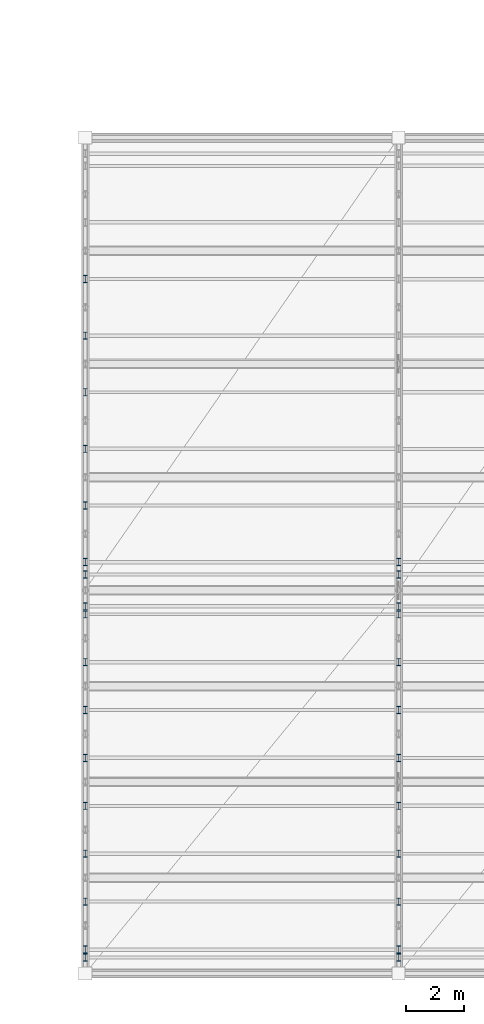
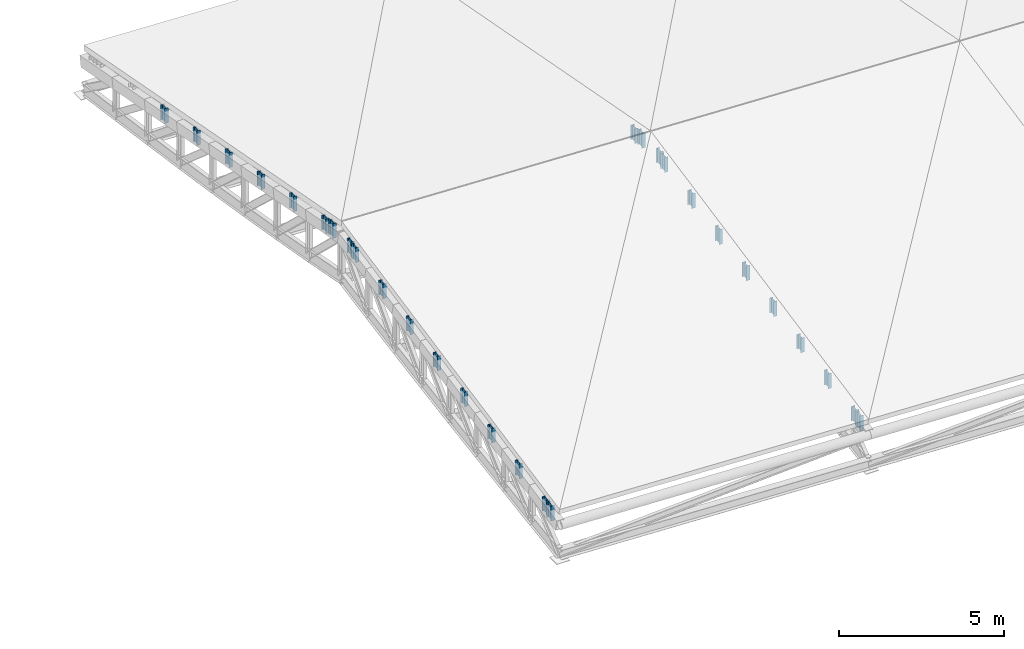
# One storey, part 46 of 89: 29 members.
"""IFC4 building model written with IfcOpenShell, lengths in metres."""

import ifcopenshell
import ifcopenshell.guid

model = None  # the IFC model being written
_history = None  # IfcOwnerHistory: only IFC2X3 demands one
_inside = {}  # id of a spatial element -> (the spatial element, [elements in it])
_under = {}  # id of a project, library or spatial element -> (it, [spatial elements below it])
_declared = {}  # id of a project -> (the project, [libraries it declares])
_typed = {}  # id of a type object -> (the type object, [elements of that type])
_made_of = {}  # id of a material, layer set ... -> (it, [elements and type objects made of it])


def new_model(schema):
    """Start an empty IFC model of exactly this schema.

    Asked for "IFC4X3", IfcOpenShell would pick the latest addendum, in which some entities
    have other attributes; the version numbers below select the first issue.
    IFC2X3 requires an IfcOwnerHistory on every rooted entity: one is made here for all.
    """
    global model, _history
    if schema == "IFC4X3":
        model = ifcopenshell.file(schema_version=(4, 3, 0, 0))
    else:
        model = ifcopenshell.file(schema=schema)
    _inside.clear()
    _under.clear()
    _declared.clear()
    _typed.clear()
    _made_of.clear()
    _history = None
    if model.schema == "IFC2X3":
        org = make("IfcOrganization", Name="unknown")
        user = make(
            "IfcPersonAndOrganization",
            ThePerson=make("IfcPerson", FamilyName="unknown"),
            TheOrganization=org,
        )
        app = make(
            "IfcApplication",
            ApplicationDeveloper=org,
            Version="unknown",
            ApplicationFullName="unknown",
            ApplicationIdentifier="unknown",
        )
        _history = make(
            "IfcOwnerHistory",
            OwningUser=user,
            OwningApplication=app,
            ChangeAction="ADDED",
            CreationDate=0,
        )
    return model


def make(cls, **values):
    """One entity of the class cls with the attributes given. An attribute that is None is left unset."""
    return model.create_entity(
        cls, **{name: value for name, value in values.items() if value is not None}
    )


def rooted(cls, **values):
    """An entity with a GlobalId (a new one), such as an element, a storey or a relation."""
    return make(cls, GlobalId=ifcopenshell.guid.new(), OwnerHistory=_history, **values)


def si_unit(unit_type, name, prefix=None):
    """IfcSIUnit, for example si_unit("LENGTHUNIT", "METRE", prefix="MILLI")."""
    return make("IfcSIUnit", UnitType=unit_type, Prefix=prefix, Name=name)


def assignment(units):
    """IfcUnitAssignment: the units of a project."""
    return None if units is None else make("IfcUnitAssignment", Units=units)


def point(xyz):
    """IfcCartesianPoint."""
    return None if xyz is None else make("IfcCartesianPoint", Coordinates=xyz)


def direction(xyz):
    """IfcDirection."""
    return None if xyz is None else make("IfcDirection", DirectionRatios=xyz)


def frame(location, z_axis=None, x_axis=None):
    """IfcAxis2Placement3D, a coordinate frame: its origin and axes. An axis left out is left unset."""
    return make(
        "IfcAxis2Placement3D",
        Location=point(location),
        Axis=direction(z_axis),
        RefDirection=direction(x_axis),
    )


def frame_2d(location, x_axis=None):
    """IfcAxis2Placement2D, a coordinate frame in the plane: its origin and x axis."""
    return make(
        "IfcAxis2Placement2D", Location=point(location), RefDirection=direction(x_axis)
    )


def origin():
    """The frame at (0, 0, 0) with its axes left unset."""
    return frame((0.0, 0.0, 0.0))


def origin_2d():
    """The frame at (0, 0) in the plane with its x axis left unset."""
    return frame_2d((0.0, 0.0))


def place(relative_to, where):
    """IfcLocalPlacement: puts the frame where relative to a parent placement (None: the world)."""
    return make(
        "IfcLocalPlacement", PlacementRelTo=relative_to, RelativePlacement=where
    )


def context(
    kind, dimensions, precision=None, world=None, true_north=None, identifier=None
):
    """IfcGeometricRepresentationContext, for example the 3D "Model" context."""
    return make(
        "IfcGeometricRepresentationContext",
        ContextIdentifier=identifier,
        ContextType=kind,
        CoordinateSpaceDimension=dimensions,
        Precision=precision,
        WorldCoordinateSystem=world,
        TrueNorth=true_north,
    )


def subcontext(parent, identifier, kind, view, scale=None):
    """IfcGeometricRepresentationSubContext, for example "Body" below "Model"."""
    return make(
        "IfcGeometricRepresentationSubContext",
        ContextIdentifier=identifier,
        ContextType=kind,
        ParentContext=parent,
        TargetScale=scale,
        TargetView=view,
    )


def project(units=None, contexts=None):
    """IfcProject with its units and contexts."""
    return rooted(
        "IfcProject",
        Name="project",
        RepresentationContexts=contexts,
        UnitsInContext=assignment(units),
    )


def spatial(cls, under=None, at=None, **own):
    """A site, building, storey or space (cls), placed at a placement, below another one or the project."""
    s = rooted(cls, ObjectPlacement=at, **own)
    if under is not None:
        _under.setdefault(under.id(), (under, []))[1].append(s)
    return s


def profile(cls, at=None, kind="AREA", **sizes):
    """A parametric profile (cls). Its sizes go by their IFC names, for example OverallWidth=200.0."""
    return make(cls, ProfileType=kind, Position=at, **sizes)


def i_section(**sizes):
    """IfcIShapeProfileDef."""
    return profile("IfcIShapeProfileDef", **sizes)


def extrude(swept, where, along, depth):
    """IfcExtrudedAreaSolid: the profile swept, set in the frame where, extruded along a direction by depth."""
    return make(
        "IfcExtrudedAreaSolid",
        SweptArea=swept,
        Position=where,
        ExtrudedDirection=direction(along),
        Depth=depth,
    )


def shape(context_of_items, identifier, shape_type, items):
    """IfcShapeRepresentation: the items that make up one representation, for example the "Body"."""
    return make(
        "IfcShapeRepresentation",
        ContextOfItems=context_of_items,
        RepresentationIdentifier=identifier,
        RepresentationType=shape_type,
        Items=items,
    )


def material(Name=None, Category=None):
    """IfcMaterial."""
    return make("IfcMaterial", Name=Name, Category=Category)


def material_profile(
    of_material, cross_section, Name=None, Category=None, Priority=None
):
    """IfcMaterialProfile: a cross section and its material."""
    return make(
        "IfcMaterialProfile",
        Name=Name,
        Material=of_material,
        Profile=cross_section,
        Priority=Priority,
        Category=Category,
    )


def profile_set(profiles, Name=None, composite=None):
    """IfcMaterialProfileSet."""
    return make(
        "IfcMaterialProfileSet",
        Name=Name,
        MaterialProfiles=profiles,
        CompositeProfile=composite,
    )


def made_of(thing, what):
    """Note that an element or type object is made of a material, layer set ...; save() writes the relation."""
    if what is not None:
        _made_of.setdefault(what.id(), (what, []))[1].append(thing)
    return thing


def type_object(cls, material=None, **own):
    """A type object (cls), such as IfcWallType, which elements share."""
    return made_of(rooted(cls, **own), material)


def element(
    cls,
    number,
    at=None,
    inside=None,
    cuts=None,
    type_object=None,
    material=None,
    context=None,
    identifier="Body",
    shape_type=None,
    held_by="IfcProductDefinitionShape",
    body=None,
    shapes=None,
    **own,
):
    """One element of the class cls, such as IfcWall. Its Tag is "e" and its number.

    at: its placement. inside: the storey or other place that contains it. cuts: it is an
    opening in that element (IfcRelVoidsElement). A single representation is given by context,
    identifier, shape_type and body (its items); several are given by shapes. held_by: the class
    of the entity that holds the representations. save() writes the other relations.
    """
    e = rooted(cls, Tag="e%d" % number, ObjectPlacement=at, **own)
    if body is not None:
        shapes = [shape(context, identifier, shape_type, body)]
    if shapes is not None:
        e.Representation = make(held_by, Representations=shapes)
    if inside is not None:
        _inside.setdefault(inside.id(), (inside, []))[1].append(e)
    if cuts is not None:
        rooted(
            "IfcRelVoidsElement", RelatingBuildingElement=cuts, RelatedOpeningElement=e
        )
    if type_object is not None:
        _typed.setdefault(type_object.id(), (type_object, []))[1].append(e)
    return made_of(e, material)


def aggregate(whole, parts):
    """IfcRelAggregates: a whole, such as a stair, and the parts it consists of."""
    return rooted("IfcRelAggregates", RelatingObject=whole, RelatedObjects=parts)


def save(model, path):
    """Write the relations noted so far, then the file.

    IfcRelAggregates (storeys below a building ...), IfcRelContainedInSpatialStructure (elements
    in a storey), IfcRelDefinesByType, IfcRelAssociatesMaterial and IfcRelDeclares: one each for
    every whole, place, type object, material and project.
    """
    for whole, parts in _under.values():
        aggregate(whole, parts)
    for where, things in _inside.values():
        rooted(
            "IfcRelContainedInSpatialStructure",
            RelatedElements=things,
            RelatingStructure=where,
        )
    for kind, things in _typed.values():
        rooted("IfcRelDefinesByType", RelatedObjects=things, RelatingType=kind)
    for what, things in _made_of.values():
        rooted("IfcRelAssociatesMaterial", RelatedObjects=things, RelatingMaterial=what)
    for by, libraries in _declared.values():
        rooted("IfcRelDeclares", RelatingContext=by, RelatedDefinitions=libraries)
    model.write(path)


model = new_model("IFC4")

# Units and contexts
model_context = context("Model", 3, precision=1e-05, world=origin(), true_north=direction((0.0, 1.0)))
body_context = subcontext(model_context, "Body", "Model", "MODEL_VIEW")
ifc_project = project(units=[si_unit("LENGTHUNIT", "METRE"), si_unit("AREAUNIT", "SQUARE_METRE"), si_unit("VOLUMEUNIT", "CUBIC_METRE"), si_unit("PLANEANGLEUNIT", "RADIAN"), si_unit("MASSUNIT", "GRAM", prefix="KILO")], contexts=[model_context])

# Site, building, storey
site_placement = place(None, origin())
site = spatial("IfcSite", under=ifc_project, at=site_placement, CompositionType="ELEMENT")
building_placement = place(site_placement, origin())
building = spatial("IfcBuilding", under=site, at=building_placement, Name="Suirenkawa Promenade Aquatics Centre", CompositionType="ELEMENT")
storey_placement = place(building_placement, frame((0.0, 0.0, 9.60009765625)))
storey = spatial("IfcBuildingStorey", under=building, at=storey_placement, Name="L02", CompositionType="ELEMENT", Elevation=9.60009765625)

# Members
ifc_material = material(Name="Steel IS 2062 E350 (Grade 350)", Category="steel")
ifc_material_profile = material_profile(ifc_material, i_section(OverallWidth=0.125, OverallDepth=0.25, WebThickness=0.007080078125, FlangeThickness=0.012939453125, at=origin_2d()), Name="ISMB 250", Category="steel")
ifc_profile_set = profile_set([ifc_material_profile], Name="Steel IS 2062 E350 (Grade 350)")
member_type = type_object("IfcMemberType", Name="MT-WEB-CHS168", PredefinedType="BRACE", material=ifc_profile_set)
for number, where, z_axis, x_axis, name in (
    (1, (79.199951171875, 0.550048828125, -0.320068359375), (0.0, 0.0, 1.0), (1.0, 0.0, 0.0), "ROOF TRUSS Purlin cleat post TD-03 MB-2606"),
    (2, (90.0, 0.550048828125, -0.77001953125), (0.0, 0.0, 1.0), (1.0, 0.0, 0.0), "ROOF TRUSS Purlin cleat post TD-03 MB-2607"),
):
    element("IfcMember", number, at=place(storey_placement, frame(where, z_axis=z_axis, x_axis=x_axis)), inside=storey, type_object=member_type, Name=name, PredefinedType="BRACE", context=body_context, shape_type="SweptSolid", body=[
        extrude(i_section(OverallWidth=0.125, OverallDepth=0.25, WebThickness=0.007080078125, FlangeThickness=0.012939453125, at=origin_2d()), origin(), (0.0, 0.0, 1.0), 0.552001953125),
    ])
for number, where, z_axis, x_axis, name in (
    (3, (79.199951171875, 0.824951171875, -0.26416015625), (0.0, 0.0, 1.0), (1.0, 0.0, 0.0), "ROOF TRUSS Purlin cleat post TD-03 MB-2609"),
    (4, (90.0, 0.824951171875, -0.714111328125), (0.0, 0.0, 1.0), (1.0, 0.0, 0.0), "ROOF TRUSS Purlin cleat post TD-03 MB-2610"),
):
    element("IfcMember", number, at=place(storey_placement, frame(where, z_axis=z_axis, x_axis=x_axis)), inside=storey, type_object=member_type, Name=name, PredefinedType="BRACE", context=body_context, shape_type="SweptSolid", body=[
        extrude(i_section(OverallWidth=0.125, OverallDepth=0.25, WebThickness=0.007080078125, FlangeThickness=0.012939453125, at=origin_2d()), origin(), (0.0, 0.0, 1.0), 0.5400390625),
    ])
for number, where, z_axis, x_axis, name in (
    (5, (79.199951171875, 2.47509765625, 0.06689453125), (0.0, 0.0, 1.0), (1.0, 0.0, 0.0), "ROOF TRUSS Purlin cleat post TD-03 MB-2612"),
    (6, (90.0, 2.47509765625, -0.383056640625), (0.0, 0.0, 1.0), (1.0, 0.0, 0.0), "ROOF TRUSS Purlin cleat post TD-03 MB-2613"),
):
    element("IfcMember", number, at=place(storey_placement, frame(where, z_axis=z_axis, x_axis=x_axis)), inside=storey, type_object=member_type, Name=name, PredefinedType="BRACE", context=body_context, shape_type="SweptSolid", body=[
        extrude(i_section(OverallWidth=0.125, OverallDepth=0.25, WebThickness=0.007080078125, FlangeThickness=0.012939453125, at=origin_2d()), origin(), (0.0, 0.0, 1.0), 0.552001953125),
    ])
member_1_placement = place(storey_placement, frame((79.199951171875, 4.125, 0.39794921875), z_axis=(0.0, 0.0, 1.0), x_axis=(1.0, 0.0, 0.0)))
element("IfcMember", 7, at=member_1_placement, inside=storey, type_object=member_type, Name="ROOF TRUSS Purlin cleat post TD-03 MB-2615", PredefinedType="BRACE", context=body_context, shape_type="SweptSolid", body=[
    extrude(i_section(OverallWidth=0.125, OverallDepth=0.25, WebThickness=0.007080078125, FlangeThickness=0.012939453125, at=origin_2d()), origin(), (0.0, 0.0, 1.0), 0.5400390625),
])
member_2_placement = place(storey_placement, frame((90.0, 4.125, -0.052001953125), z_axis=(0.0, 0.0, 1.0), x_axis=(1.0, 0.0, 0.0)))
element("IfcMember", 8, at=member_2_placement, inside=storey, type_object=member_type, Name="ROOF TRUSS Purlin cleat post TD-03 MB-2616", PredefinedType="BRACE", context=body_context, shape_type="SweptSolid", body=[
    extrude(i_section(OverallWidth=0.125, OverallDepth=0.25, WebThickness=0.007080078125, FlangeThickness=0.012939453125, at=origin_2d()), origin(), (0.0, 0.0, 1.0), 0.539794921875),
])
for number, where, z_axis, x_axis, name in (
    (9, (79.199951171875, 5.77490234375, 0.72900390625), (0.0, 0.0, 1.0), (1.0, 0.0, 0.0), "ROOF TRUSS Purlin cleat post TD-03 MB-2618"),
    (10, (90.0, 5.77490234375, 0.27880859375), (0.0, 0.0, 1.0), (1.0, 0.0, 0.0), "ROOF TRUSS Purlin cleat post TD-03 MB-2619"),
):
    element("IfcMember", number, at=place(storey_placement, frame(where, z_axis=z_axis, x_axis=x_axis)), inside=storey, type_object=member_type, Name=name, PredefinedType="BRACE", context=body_context, shape_type="SweptSolid", body=[
        extrude(i_section(OverallWidth=0.125, OverallDepth=0.25, WebThickness=0.007080078125, FlangeThickness=0.012939453125, at=origin_2d()), origin(), (0.0, 0.0, 1.0), 0.552001953125),
    ])
for number, where, z_axis, x_axis, name in (
    (11, (79.199951171875, 7.425048828125, 1.060791015625), (0.0, 0.0, 1.0), (1.0, 0.0, 0.0), "ROOF TRUSS Purlin cleat post TD-03 MB-2621"),
    (12, (90.0, 7.425048828125, 0.61083984375), (0.0, 0.0, 1.0), (1.0, 0.0, 0.0), "ROOF TRUSS Purlin cleat post TD-03 MB-2622"),
):
    element("IfcMember", number, at=place(storey_placement, frame(where, z_axis=z_axis, x_axis=x_axis)), inside=storey, type_object=member_type, Name=name, PredefinedType="BRACE", context=body_context, shape_type="SweptSolid", body=[
        extrude(i_section(OverallWidth=0.125, OverallDepth=0.25, WebThickness=0.007080078125, FlangeThickness=0.012939453125, at=origin_2d()), origin(), (0.0, 0.0, 1.0), 0.5400390625),
    ])
for number, where, z_axis, x_axis, name in (
    (13, (79.199951171875, 9.074951171875, 1.391845703125), (0.0, 0.0, 1.0), (1.0, 0.0, 0.0), "ROOF TRUSS Purlin cleat post TD-03 MB-2624"),
    (14, (90.0, 9.074951171875, 0.94189453125), (0.0, 0.0, 1.0), (1.0, 0.0, 0.0), "ROOF TRUSS Purlin cleat post TD-03 MB-2625"),
):
    element("IfcMember", number, at=place(storey_placement, frame(where, z_axis=z_axis, x_axis=x_axis)), inside=storey, type_object=member_type, Name=name, PredefinedType="BRACE", context=body_context, shape_type="SweptSolid", body=[
        extrude(i_section(OverallWidth=0.125, OverallDepth=0.25, WebThickness=0.007080078125, FlangeThickness=0.012939453125, at=origin_2d()), origin(), (0.0, 0.0, 1.0), 0.552001953125),
    ])
for number, where, z_axis, x_axis, name in (
    (15, (79.199951171875, 10.72509765625, 1.722900390625), (0.0, 0.0, 1.0), (1.0, 0.0, 0.0), "ROOF TRUSS Purlin cleat post TD-03 MB-2627"),
    (16, (90.0, 10.72509765625, 1.27294921875), (0.0, 0.0, 1.0), (1.0, 0.0, 0.0), "ROOF TRUSS Purlin cleat post TD-03 MB-2628"),
):
    element("IfcMember", number, at=place(storey_placement, frame(where, z_axis=z_axis, x_axis=x_axis)), inside=storey, type_object=member_type, Name=name, PredefinedType="BRACE", context=body_context, shape_type="SweptSolid", body=[
        extrude(i_section(OverallWidth=0.125, OverallDepth=0.25, WebThickness=0.007080078125, FlangeThickness=0.012939453125, at=origin_2d()), origin(), (0.0, 0.0, 1.0), 0.5400390625),
    ])
for number, where, z_axis, x_axis, name in (
    (17, (79.199951171875, 12.375, 2.053955078125), (0.0, 0.0, 1.0), (1.0, 0.0, 0.0), "ROOF TRUSS Purlin cleat post TD-03 MB-2630"),
    (18, (90.0, 12.375, 1.60400390625), (0.0, 0.0, 1.0), (1.0, 0.0, 0.0), "ROOF TRUSS Purlin cleat post TD-03 MB-2631"),
):
    element("IfcMember", number, at=place(storey_placement, frame(where, z_axis=z_axis, x_axis=x_axis)), inside=storey, type_object=member_type, Name=name, PredefinedType="BRACE", context=body_context, shape_type="SweptSolid", body=[
        extrude(i_section(OverallWidth=0.125, OverallDepth=0.25, WebThickness=0.007080078125, FlangeThickness=0.012939453125, at=origin_2d()), origin(), (0.0, 0.0, 1.0), 0.552001953125),
    ])
member_3_placement = place(storey_placement, frame((79.199951171875, 12.64990234375, 2.10986328125), z_axis=(0.0, 0.0, 1.0), x_axis=(1.0, 0.0, 0.0)))
element("IfcMember", 19, at=member_3_placement, inside=storey, type_object=member_type, Name="ROOF TRUSS Purlin cleat post TD-03 MB-2633", PredefinedType="BRACE", context=body_context, shape_type="SweptSolid", body=[
    extrude(i_section(OverallWidth=0.125, OverallDepth=0.25, WebThickness=0.007080078125, FlangeThickness=0.012939453125, at=origin_2d()), origin(), (0.0, 0.0, 1.0), 0.5390625),
])
member_4_placement = place(storey_placement, frame((90.0, 12.64990234375, 1.659912109375), z_axis=(0.0, 0.0, 1.0), x_axis=(1.0, 0.0, 0.0)))
element("IfcMember", 20, at=member_4_placement, inside=storey, type_object=member_type, Name="ROOF TRUSS Purlin cleat post TD-03 MB-2634", PredefinedType="BRACE", context=body_context, shape_type="SweptSolid", body=[
    extrude(i_section(OverallWidth=0.125, OverallDepth=0.25, WebThickness=0.007080078125, FlangeThickness=0.012939453125, at=origin_2d()), origin(), (0.0, 0.0, 1.0), 0.5400390625),
])
for number, where, z_axis, x_axis, name in (
    (21, (79.199951171875, 13.75, 2.115966796875), (0.0, 0.0, 1.0), (1.0, 0.0, 0.0), "ROOF TRUSS Purlin cleat post TD-03 MB-2636"),
    (22, (90.0, 13.75, 1.666015625), (0.0, 0.0, 1.0), (1.0, 0.0, 0.0), "ROOF TRUSS Purlin cleat post TD-03 MB-2637"),
):
    element("IfcMember", number, at=place(storey_placement, frame(where, z_axis=z_axis, x_axis=x_axis)), inside=storey, type_object=member_type, Name=name, PredefinedType="BRACE", context=body_context, shape_type="SweptSolid", body=[
        extrude(i_section(OverallWidth=0.125, OverallDepth=0.25, WebThickness=0.007080078125, FlangeThickness=0.012939453125, at=origin_2d()), origin(), (0.0, 0.0, 1.0), 0.552978515625),
    ])
for number, where, z_axis, x_axis, name in (
    (23, (79.199951171875, 14.175048828125, 2.035888671875), (0.0, 0.0, 1.0), (1.0, 0.0, 0.0), "ROOF TRUSS Purlin cleat post TD-03 MB-2639"),
    (24, (90.0, 14.175048828125, 1.5859375), (0.0, 0.0, 1.0), (1.0, 0.0, 0.0), "ROOF TRUSS Purlin cleat post TD-03 MB-2640"),
):
    element("IfcMember", number, at=place(storey_placement, frame(where, z_axis=z_axis, x_axis=x_axis)), inside=storey, type_object=member_type, Name=name, PredefinedType="BRACE", context=body_context, shape_type="SweptSolid", body=[
        extrude(i_section(OverallWidth=0.125, OverallDepth=0.25, WebThickness=0.007080078125, FlangeThickness=0.012939453125, at=origin_2d()), origin(), (0.0, 0.0, 1.0), 0.541015625),
    ])
member_5_placement = place(storey_placement, frame((79.199951171875, 16.125, 1.6669921875), z_axis=(0.0, 0.0, 1.0), x_axis=(1.0, 0.0, 0.0)))
element("IfcMember", 25, at=member_5_placement, inside=storey, type_object=member_type, Name="ROOF TRUSS Purlin cleat post TD-03 MB-2642", PredefinedType="BRACE", context=body_context, shape_type="SweptSolid", body=[
    extrude(i_section(OverallWidth=0.125, OverallDepth=0.25, WebThickness=0.007080078125, FlangeThickness=0.012939453125, at=origin_2d()), origin(), (0.0, 0.0, 1.0), 0.552978515625),
])
member_6_placement = place(storey_placement, frame((79.199951171875, 18.074951171875, 1.2978515625), z_axis=(0.0, 0.0, 1.0), x_axis=(1.0, 0.0, 0.0)))
element("IfcMember", 26, at=member_6_placement, inside=storey, type_object=member_type, Name="ROOF TRUSS Purlin cleat post TD-03 MB-2645", PredefinedType="BRACE", context=body_context, shape_type="SweptSolid", body=[
    extrude(i_section(OverallWidth=0.125, OverallDepth=0.25, WebThickness=0.007080078125, FlangeThickness=0.012939453125, at=origin_2d()), origin(), (0.0, 0.0, 1.0), 0.541015625),
])
member_7_placement = place(storey_placement, frame((79.199951171875, 20.02490234375, 0.928955078125), z_axis=(0.0, 0.0, 1.0), x_axis=(1.0, 0.0, 0.0)))
element("IfcMember", 27, at=member_7_placement, inside=storey, type_object=member_type, Name="ROOF TRUSS Purlin cleat post TD-03 MB-2648", PredefinedType="BRACE", context=body_context, shape_type="SweptSolid", body=[
    extrude(i_section(OverallWidth=0.125, OverallDepth=0.25, WebThickness=0.007080078125, FlangeThickness=0.012939453125, at=origin_2d()), origin(), (0.0, 0.0, 1.0), 0.552978515625),
])
member_8_placement = place(storey_placement, frame((79.199951171875, 21.97509765625, 0.560791015625), z_axis=(0.0, 0.0, 1.0), x_axis=(1.0, 0.0, 0.0)))
element("IfcMember", 28, at=member_8_placement, inside=storey, type_object=member_type, Name="ROOF TRUSS Purlin cleat post TD-03 MB-2651", PredefinedType="BRACE", context=body_context, shape_type="SweptSolid", body=[
    extrude(i_section(OverallWidth=0.125, OverallDepth=0.25, WebThickness=0.007080078125, FlangeThickness=0.012939453125, at=origin_2d()), origin(), (0.0, 0.0, 1.0), 0.541015625),
])
member_9_placement = place(storey_placement, frame((79.199951171875, 23.925048828125, 0.19189453125), z_axis=(0.0, 0.0, 1.0), x_axis=(1.0, 0.0, 0.0)))
element("IfcMember", 29, at=member_9_placement, inside=storey, type_object=member_type, Name="ROOF TRUSS Purlin cleat post TD-03 MB-2654", PredefinedType="BRACE", context=body_context, shape_type="SweptSolid", body=[
    extrude(i_section(OverallWidth=0.125, OverallDepth=0.25, WebThickness=0.007080078125, FlangeThickness=0.012939453125, at=origin_2d()), origin(), (0.0, 0.0, 1.0), 0.552978515625),
])

save(model, "model.ifc")
